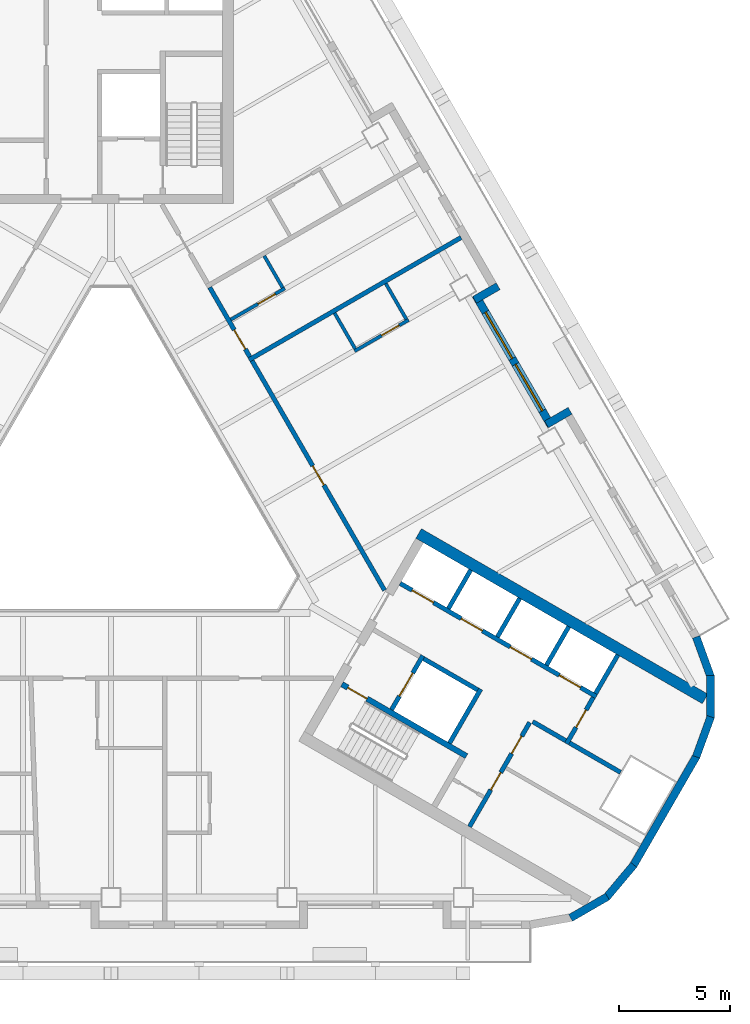
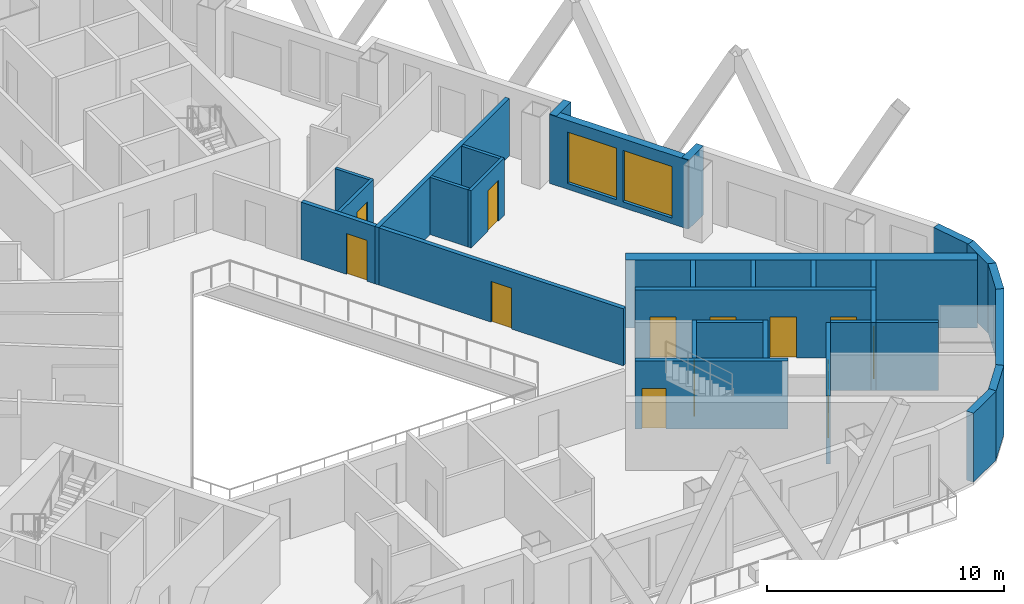
# One storey, part 5 of 14: 31 walls, 13 doors, 2 windows, 15 openings.
"""IFC4 building model written with IfcOpenShell, lengths in metres."""

from ifc_helpers import new_model, si_unit, direction, frame, frame_2d, origin, place, context, subcontext, project, spatial, rectangle, extrude, material, layer, layer_set, type_object, element, fill, save


model = new_model("IFC4")

# Units and contexts
model_context = context("Model", 3, precision=1e-05, world=origin(), true_north=direction((0.0, 1.0)))
body_context = subcontext(model_context, "Body", "Model", "MODEL_VIEW")
ifc_project = project(units=[si_unit("LENGTHUNIT", "METRE"), si_unit("AREAUNIT", "SQUARE_METRE"), si_unit("VOLUMEUNIT", "CUBIC_METRE"), si_unit("PLANEANGLEUNIT", "RADIAN"), si_unit("MASSUNIT", "GRAM", prefix="KILO")], contexts=[model_context])

# Site, building, storey
site_placement = place(None, origin())
site = spatial("IfcSite", under=ifc_project, at=site_placement, CompositionType="ELEMENT")
building_placement = place(site_placement, origin())
building = spatial("IfcBuilding", under=site, at=building_placement, Name="Apuvela Tower Hotel", CompositionType="ELEMENT")
storey_placement = place(building_placement, frame((0.0, 0.0, 98.300048828125)))
storey = spatial("IfcBuildingStorey", under=building, at=storey_placement, Name="L22", CompositionType="ELEMENT", Elevation=98.300048828125)

# Wall
ifc_material_1 = material(Name="Concrete C50/60", Category="concrete")
ifc_layer_1 = layer(ifc_material_1, 0.5)
ifc_layer_set_1 = layer_set([ifc_layer_1], Name="COR-WALL-CORE-500")
wall_type_1 = type_object("IfcWallType", Name="COR-WALL-CORE-500", PredefinedType="SHEAR", material=ifc_layer_set_1)
wall_1_placement = place(storey_placement, frame((13.796630859375, -1.9033203125, 0.0), z_axis=(0.0, 0.0, 1.0), x_axis=(0.866025009528, -0.500000682871, 0.0)))
element("IfcWall", 1, at=wall_1_placement, inside=storey, type_object=wall_type_1, Name="Core wall SE", PredefinedType="SHEAR", context=body_context, shape_type="SweptSolid", body=[
    extrude(rectangle(XDim=14.8369140625, YDim=0.5, at=frame_2d((7.41845703125, 0.0))), origin(), (0.0, 0.0, 1.0), 3.5),
])

# Wall, openings, doors
ifc_material_2 = material(Name="Blockwork 200 mm plastered", Category="masonry")
ifc_layer_2 = layer(ifc_material_2, 0.199951171875)
ifc_layer_set_2 = layer_set([ifc_layer_2], Name="COR-WALL-PART-200")
wall_type_2 = type_object("IfcWallType", Name="COR-WALL-PART-200", PredefinedType="PARTITIONING", material=ifc_layer_set_2)
wall_2_placement = place(storey_placement, frame((16.076171875, -15.05517578125, 0.0), z_axis=(0.0, 0.0, 1.0), x_axis=(0.499995103361, 0.866028230842, 0.0)))
wall_2 = element("IfcWall", 2, at=wall_2_placement, inside=storey, type_object=wall_type_2, Name="Partition SE", PredefinedType="PARTITIONING", context=body_context, shape_type="SweptSolid", body=[
    extrude(rectangle(XDim=5.39990234375, YDim=0.199951171875, at=frame_2d((2.699951171875, 0.0))), origin(), (0.0, 0.0, 1.0), 3.5),
])
opening_1_placement = place(wall_2_placement, frame((1.91259765625, 0.0, 0.0)))
opening_1 = element("IfcOpeningElement", 3, at=opening_1_placement, cuts=wall_2, Name="Opening E-RS1", PredefinedType="OPENING", context=body_context, shape_type="SweptSolid", body=[
    extrude(rectangle(XDim=0.89990234375, YDim=2.10009765625, at=frame_2d((0.449951171875, 1.050048828125))), frame((0.0, 0.10986328125, 0.0), z_axis=(0.0, -1.0, 0.0), x_axis=(1.0, 0.0, 0.0)), (0.0, 0.0, 1.0), 0.219970703125),
])
opening_2_placement = place(wall_2_placement, frame((3.78759765625, 0.0, 0.0)))
opening_2 = element("IfcOpeningElement", 4, at=opening_2_placement, cuts=wall_2, Name="Opening E-RS2", PredefinedType="OPENING", context=body_context, shape_type="SweptSolid", body=[
    extrude(rectangle(XDim=0.89990234375, YDim=2.10009765625, at=frame_2d((0.449951171875, 1.050048828125))), frame((0.0, 0.10986328125, 0.0), z_axis=(0.0, -1.0, 0.0), x_axis=(1.0, 0.0, 0.0)), (0.0, 0.0, 1.0), 0.219970703125),
])
ifc_material_3 = material(Name="Steel fire door, powder coated", Category="steel")
door_type_1 = type_object("IfcDoorType", Name="COR-DR-900", OperationType="NOTDEFINED", PredefinedType="DOOR", material=ifc_material_3)
door_1_placement = place(opening_1_placement, frame((0.89990234375, 0.0, 0.0), z_axis=(0.0, 0.0, 1.0), x_axis=(-1.0, 0.0, 0.0)))
door_1 = element("IfcDoor", 5, at=door_1_placement, inside=storey, type_object=door_type_1, Name="Store door E-RS1", OperationType="SINGLE_SWING_LEFT", OverallHeight=2.10009765625, OverallWidth=0.89990234375, PredefinedType="DOOR", context=body_context, shape_type="SweptSolid", body=[
    extrude(rectangle(XDim=0.89990234375, YDim=2.10009765625, at=frame_2d((0.449951171875, 1.050048828125))), frame((0.0, 0.02490234375, 0.0), z_axis=(0.0, -1.0, 0.0), x_axis=(1.0, 0.0, 0.0)), (0.0, 0.0, 1.0), 0.050048828125),
])
fill(opening_1, door_1)
door_2_placement = place(opening_2_placement, frame((0.89990234375, 0.0, 0.0), z_axis=(0.0, 0.0, 1.0), x_axis=(-1.0, 0.0, 0.0)))
door_2 = element("IfcDoor", 6, at=door_2_placement, inside=storey, type_object=door_type_1, Name="Store door E-RS2", OperationType="SINGLE_SWING_LEFT", OverallHeight=2.10009765625, OverallWidth=0.89990234375, PredefinedType="DOOR", context=body_context, shape_type="SweptSolid", body=[
    extrude(rectangle(XDim=0.89990234375, YDim=2.10009765625, at=frame_2d((0.449951171875, 1.050048828125))), frame((0.0, 0.02490234375, 0.0), z_axis=(0.0, -1.0, 0.0), x_axis=(1.0, 0.0, 0.0)), (0.0, 0.0, 1.0), 0.050048828125),
])
fill(opening_2, door_2)

# Wall
ifc_layer_3 = layer(ifc_material_1, 0.199951171875)
ifc_layer_set_3 = layer_set([ifc_layer_3], Name="COR-WALL-SHAFT-200")
wall_type_3 = type_object("IfcWallType", Name="COR-WALL-SHAFT-200", PredefinedType="SHEAR", material=ifc_layer_set_3)
wall_3_placement = place(storey_placement, frame((15.181396484375, -11.305419921875, 0.0), z_axis=(0.0, 0.0, 1.0), x_axis=(0.49994636267, 0.866056369097, 0.0)))
element("IfcWall", 7, at=wall_3_placement, inside=storey, type_object=wall_type_3, Name="Shaft wall SE", PredefinedType="SHEAR", context=body_context, shape_type="SweptSolid", body=[
    extrude(rectangle(XDim=2.800048828125, YDim=0.199951171875, at=frame_2d((1.39990234375, 0.0))), origin(), (0.0, 0.0, 1.0), 3.5),
])

# Wall, opening, door
wall_4_placement = place(storey_placement, frame((12.583251953125, -9.805419921875, 0.0), z_axis=(0.0, 0.0, 1.0), x_axis=(0.49994636267, 0.866056369097, 0.0)))
wall_4 = element("IfcWall", 8, at=wall_4_placement, inside=storey, type_object=wall_type_3, Name="Shaft wall SE", PredefinedType="SHEAR", context=body_context, shape_type="SweptSolid", body=[
    extrude(rectangle(XDim=2.800048828125, YDim=0.199951171875, at=frame_2d((1.39990234375, 0.0))), origin(), (0.0, 0.0, 1.0), 3.5),
])
opening_3_placement = place(wall_4_placement, frame((0.699951171875, 0.0, 0.0)))
opening_3 = element("IfcOpeningElement", 9, at=opening_3_placement, cuts=wall_4, Name="Opening E-LD-FS3", PredefinedType="OPENING", context=body_context, shape_type="SweptSolid", body=[
    extrude(rectangle(XDim=1.199951171875, YDim=2.10009765625, at=frame_2d((0.60009765625, 1.050048828125))), frame((0.0, 0.10986328125, 0.0), z_axis=(0.0, -1.0, 0.0), x_axis=(1.0, 0.0, 0.0)), (0.0, 0.0, 1.0), 0.219970703125),
])
ifc_material_4 = material(Name="Stainless steel lift landing door", Category="steel")
door_type_2 = type_object("IfcDoorType", Name="COR-LD-1200", OperationType="DOUBLE_DOOR_SLIDING", PredefinedType="DOOR", material=ifc_material_4)
door_3_placement = place(opening_3_placement, origin())
door_3 = element("IfcDoor", 10, at=door_3_placement, inside=storey, type_object=door_type_2, Name="Lift landing door E-LD-FS3", OperationType="DOUBLE_DOOR_SLIDING", OverallHeight=2.10009765625, OverallWidth=1.199951171875, PredefinedType="DOOR", context=body_context, shape_type="SweptSolid", body=[
    extrude(rectangle(XDim=1.199951171875, YDim=2.10009765625, at=frame_2d((0.60009765625, 1.050048828125))), frame((0.0, 0.02490234375, 0.0), z_axis=(0.0, -1.0, 0.0), x_axis=(1.0, 0.0, 0.0)), (0.0, 0.0, 1.0), 0.050048828125),
])
fill(opening_3, door_3)

# Wall
wall_5_placement = place(storey_placement, frame((14.019775390625, -7.51708984375, 0.0), z_axis=(0.0, 0.0, 1.0), x_axis=(0.866034573852, -0.49998411664, 0.0)))
element("IfcWall", 11, at=wall_5_placement, inside=storey, type_object=wall_type_3, Name="Shaft wall SE", PredefinedType="SHEAR", context=body_context, shape_type="SweptSolid", body=[
    extrude(rectangle(XDim=2.7998046875, YDim=0.199951171875, at=frame_2d((1.39990234375, 0.0))), origin(), (0.0, 0.0, 1.0), 3.5),
])

# Wall, openings, doors
wall_6_placement = place(storey_placement, frame((12.968017578125, -4.138427734375, 0.0), z_axis=(0.0, 0.0, 1.0), x_axis=(0.866028328073, -0.49999493495, 0.0)))
wall_6 = element("IfcWall", 12, at=wall_6_placement, inside=storey, type_object=wall_type_3, Name="Shaft wall SE", PredefinedType="SHEAR", context=body_context, shape_type="SweptSolid", body=[
    extrude(rectangle(XDim=10.16015625, YDim=0.199951171875, at=frame_2d((5.080078125, 0.0))), origin(), (0.0, 0.0, 1.0), 3.5),
])
opening_4_placement = place(wall_6_placement, frame((0.6201171875, 0.0, 0.0)))
opening_4 = element("IfcOpeningElement", 13, at=opening_4_placement, cuts=wall_6, Name="Opening E-LD-LR1", PredefinedType="OPENING", context=body_context, shape_type="SweptSolid", body=[
    extrude(rectangle(XDim=1.10009765625, YDim=2.10009765625, at=frame_2d((0.550048828125, 1.050048828125))), frame((0.0, 0.10986328125, 0.0), z_axis=(0.0, -1.0, 0.0), x_axis=(1.0, 0.0, 0.0)), (0.0, 0.0, 1.0), 0.219970703125),
])
opening_5_placement = place(wall_6_placement, frame((3.159912109375, 0.0, 0.0)))
opening_5 = element("IfcOpeningElement", 14, at=opening_5_placement, cuts=wall_6, Name="Opening E-LD-LR2", PredefinedType="OPENING", context=body_context, shape_type="SweptSolid", body=[
    extrude(rectangle(XDim=1.10009765625, YDim=2.10009765625, at=frame_2d((0.550048828125, 1.050048828125))), frame((0.0, 0.10986328125, 0.0), z_axis=(0.0, -1.0, 0.0), x_axis=(1.0, 0.0, 0.0)), (0.0, 0.0, 1.0), 0.219970703125),
])
opening_6_placement = place(wall_6_placement, frame((5.699951171875, 0.0, 0.0)))
opening_6 = element("IfcOpeningElement", 15, at=opening_6_placement, cuts=wall_6, Name="Opening E-LD-LR3", PredefinedType="OPENING", context=body_context, shape_type="SweptSolid", body=[
    extrude(rectangle(XDim=1.10009765625, YDim=2.10009765625, at=frame_2d((0.550048828125, 1.050048828125))), frame((0.0, 0.10986328125, 0.0), z_axis=(0.0, -1.0, 0.0), x_axis=(1.0, 0.0, 0.0)), (0.0, 0.0, 1.0), 0.219970703125),
])
opening_7_placement = place(wall_6_placement, frame((8.239990234375, 0.0, 0.0)))
opening_7 = element("IfcOpeningElement", 16, at=opening_7_placement, cuts=wall_6, Name="Opening E-LD-LR4", PredefinedType="OPENING", context=body_context, shape_type="SweptSolid", body=[
    extrude(rectangle(XDim=1.10009765625, YDim=2.10009765625, at=frame_2d((0.550048828125, 1.050048828125))), frame((0.0, 0.10986328125, 0.0), z_axis=(0.0, -1.0, 0.0), x_axis=(1.0, 0.0, 0.0)), (0.0, 0.0, 1.0), 0.219970703125),
])
door_type_3 = type_object("IfcDoorType", Name="COR-LD-1100", OperationType="DOUBLE_DOOR_SLIDING", PredefinedType="DOOR", material=ifc_material_4)
door_4_placement = place(opening_4_placement, origin())
door_4 = element("IfcDoor", 17, at=door_4_placement, inside=storey, type_object=door_type_3, Name="Lift landing door E-LD-LR1", OperationType="DOUBLE_DOOR_SLIDING", OverallHeight=2.10009765625, OverallWidth=1.10009765625, PredefinedType="DOOR", context=body_context, shape_type="SweptSolid", body=[
    extrude(rectangle(XDim=1.10009765625, YDim=2.10009765625, at=frame_2d((0.550048828125, 1.050048828125))), frame((0.0, 0.02490234375, 0.0), z_axis=(0.0, -1.0, 0.0), x_axis=(1.0, 0.0, 0.0)), (0.0, 0.0, 1.0), 0.050048828125),
])
fill(opening_4, door_4)
door_5_placement = place(opening_5_placement, origin())
door_5 = element("IfcDoor", 18, at=door_5_placement, inside=storey, type_object=door_type_3, Name="Lift landing door E-LD-LR2", OperationType="DOUBLE_DOOR_SLIDING", OverallHeight=2.10009765625, OverallWidth=1.10009765625, PredefinedType="DOOR", context=body_context, shape_type="SweptSolid", body=[
    extrude(rectangle(XDim=1.10009765625, YDim=2.10009765625, at=frame_2d((0.550048828125, 1.050048828125))), frame((0.0, 0.02490234375, 0.0), z_axis=(0.0, -1.0, 0.0), x_axis=(1.0, 0.0, 0.0)), (0.0, 0.0, 1.0), 0.050048828125),
])
fill(opening_5, door_5)
door_6_placement = place(opening_6_placement, origin())
door_6 = element("IfcDoor", 19, at=door_6_placement, inside=storey, type_object=door_type_3, Name="Lift landing door E-LD-LR3", OperationType="DOUBLE_DOOR_SLIDING", OverallHeight=2.10009765625, OverallWidth=1.10009765625, PredefinedType="DOOR", context=body_context, shape_type="SweptSolid", body=[
    extrude(rectangle(XDim=1.10009765625, YDim=2.10009765625, at=frame_2d((0.550048828125, 1.050048828125))), frame((0.0, 0.02490234375, 0.0), z_axis=(0.0, -1.0, 0.0), x_axis=(1.0, 0.0, 0.0)), (0.0, 0.0, 1.0), 0.050048828125),
])
fill(opening_6, door_6)
door_7_placement = place(opening_7_placement, origin())
door_7 = element("IfcDoor", 20, at=door_7_placement, inside=storey, type_object=door_type_3, Name="Lift landing door E-LD-LR4", OperationType="DOUBLE_DOOR_SLIDING", OverallHeight=2.10009765625, OverallWidth=1.10009765625, PredefinedType="DOOR", context=body_context, shape_type="SweptSolid", body=[
    extrude(rectangle(XDim=1.10009765625, YDim=2.10009765625, at=frame_2d((0.550048828125, 1.050048828125))), frame((0.0, 0.02490234375, 0.0), z_axis=(0.0, -1.0, 0.0), x_axis=(1.0, 0.0, 0.0)), (0.0, 0.0, 1.0), 0.050048828125),
])
fill(opening_7, door_7)

# Wall, opening, door
wall_7_placement = place(storey_placement, frame((20.430419921875, -11.33349609375, 0.0), z_axis=(0.0, 0.0, 1.0), x_axis=(0.500001309137, 0.866024647952, 0.0)))
wall_7 = element("IfcWall", 21, at=wall_7_placement, inside=storey, type_object=wall_type_3, Name="Shaft wall SE", PredefinedType="SHEAR", context=body_context, shape_type="SweptSolid", body=[
    extrude(rectangle(XDim=2.39990234375, YDim=0.199951171875, at=frame_2d((1.199951171875, 0.0))), origin(), (0.0, 0.0, 1.0), 3.5),
])
opening_8_placement = place(wall_7_placement, frame((0.85009765625, 0.0, 0.0)))
opening_8 = element("IfcOpeningElement", 22, at=opening_8_placement, cuts=wall_7, Name="Opening E-REP", PredefinedType="OPENING", context=body_context, shape_type="SweptSolid", body=[
    extrude(rectangle(XDim=0.89990234375, YDim=2.10009765625, at=frame_2d((0.449951171875, 1.050048828125))), frame((0.0, 0.10986328125, 0.0), z_axis=(0.0, -1.0, 0.0), x_axis=(1.0, 0.0, 0.0)), (0.0, 0.0, 1.0), 0.219970703125),
])
door_8_placement = place(opening_8_placement, frame((0.89990234375, 0.0, 0.0), z_axis=(0.0, 0.0, 1.0), x_axis=(-1.0, 0.0, 0.0)))
door_8 = element("IfcDoor", 23, at=door_8_placement, inside=storey, type_object=door_type_1, Name="Store door E-REP", OperationType="SINGLE_SWING_RIGHT", OverallHeight=2.10009765625, OverallWidth=0.89990234375, PredefinedType="DOOR", context=body_context, shape_type="SweptSolid", body=[
    extrude(rectangle(XDim=0.89990234375, YDim=2.10009765625, at=frame_2d((0.449951171875, 1.050048828125))), frame((0.0, 0.02490234375, 0.0), z_axis=(0.0, -1.0, 0.0), x_axis=(1.0, 0.0, 0.0)), (0.0, 0.0, 1.0), 0.050048828125),
])
fill(opening_8, door_8)

# Walls
wall_8_placement = place(storey_placement, frame((18.912841796875, -10.342041015625, 0.0), z_axis=(0.0, 0.0, 1.0), x_axis=(0.866038183914, -0.499977863513, 0.0)))
element("IfcWall", 24, at=wall_8_placement, inside=storey, type_object=wall_type_3, Name="Shaft wall SE", PredefinedType="SHEAR", context=body_context, shape_type="SweptSolid", body=[
    extrude(rectangle(XDim=1.7099609375, YDim=0.199951171875, at=frame_2d((0.85498046875, 0.0))), origin(), (0.0, 0.0, 1.0), 3.5),
])
for number, where, z_axis, x_axis, name in (
    (25, (15.131103515625, -5.27197265625, 0.0), (0.0, 0.0, 1.0), (0.499972520799, 0.866041268327, 0.0), "Shaft wall SE"),
    (26, (17.330810546875, -6.5419921875, 0.0), (0.0, 0.0, 1.0), (0.499972520799, 0.866041268327, 0.0), "Shaft wall SE"),
    (27, (19.530517578125, -7.81201171875, 0.0), (0.0, 0.0, 1.0), (0.499972520799, 0.866041268327, 0.0), "Shaft wall SE"),
    (28, (21.73046875, -9.081787109375, 0.0), (0.0, 0.0, 1.0), (0.50002537861, 0.866010750942, 0.0), "Shaft wall SE"),
):
    element("IfcWall", number, at=place(storey_placement, frame(where, z_axis=z_axis, x_axis=x_axis)), inside=storey, type_object=wall_type_3, Name=name, PredefinedType="SHEAR", context=body_context, shape_type="SweptSolid", body=[
        extrude(rectangle(XDim=2.0, YDim=0.199951171875, at=frame_2d((1.0, 0.0))), origin(), (0.0, 0.0, 1.0), 3.5),
    ])
wall_9_placement = place(storey_placement, frame((20.56689453125, -11.297119140625, 0.0), z_axis=(0.0, 0.0, 1.0), x_axis=(0.866060851709, -0.499938597367, 0.0)))
element("IfcWall", 29, at=wall_9_placement, inside=storey, type_object=wall_type_3, Name="Shaft wall SE", PredefinedType="SHEAR", context=body_context, shape_type="SweptSolid", body=[
    extrude(rectangle(XDim=2.639892578125, YDim=0.199951171875, at=frame_2d((1.31982421875, 0.0))), origin(), (0.0, 0.0, 1.0), 3.5),
])

# Wall, opening, door
ifc_layer_4 = layer(ifc_material_1, 0.25)
ifc_layer_set_4 = layer_set([ifc_layer_4], Name="COR-WALL-STAIR-250")
wall_type_4 = type_object("IfcWallType", Name="COR-WALL-STAIR-250", PredefinedType="SHEAR", material=ifc_layer_set_4)
wall_10_placement = place(storey_placement, frame((10.355712890625, -8.66357421875, 0.0), z_axis=(0.0, 0.0, 1.0), x_axis=(0.866028629588, -0.499994412703, 0.0)))
wall_10 = element("IfcWall", 30, at=wall_10_placement, inside=storey, type_object=wall_type_4, Name="Stair wall SE", PredefinedType="SHEAR", context=body_context, shape_type="SweptSolid", body=[
    extrude(rectangle(XDim=6.44970703125, YDim=0.25, at=frame_2d((3.224853515625, 0.0))), origin(), (0.0, 0.0, 1.0), 3.5),
])
opening_9_placement = place(wall_10_placement, frame((0.300048828125, 0.0, 0.0)))
opening_9 = element("IfcOpeningElement", 31, at=opening_9_placement, cuts=wall_10, Name="Opening E-SD", PredefinedType="OPENING", context=body_context, shape_type="SweptSolid", body=[
    extrude(rectangle(XDim=1.0, YDim=2.10009765625, at=frame_2d((0.5, 1.050048828125))), frame((0.0, 0.135009765625, 0.0), z_axis=(0.0, -1.0, 0.0), x_axis=(1.0, 0.0, 0.0)), (0.0, 0.0, 1.0), 0.27001953125),
])
door_type_4 = type_object("IfcDoorType", Name="COR-SD-1000", OperationType="NOTDEFINED", PredefinedType="DOOR", material=ifc_material_3)
door_9_placement = place(opening_9_placement, frame((1.0, 0.0, 0.0), z_axis=(0.0, 0.0, 1.0), x_axis=(-1.0, 0.0, 0.0)))
door_9 = element("IfcDoor", 32, at=door_9_placement, inside=storey, type_object=door_type_4, Name="Stair door E-SD", OperationType="SINGLE_SWING_LEFT", OverallHeight=2.10009765625, OverallWidth=1.0, PredefinedType="DOOR", context=body_context, shape_type="SweptSolid", body=[
    extrude(rectangle(XDim=1.0, YDim=2.10009765625, at=frame_2d((0.5, 1.050048828125))), frame((0.0, 0.02490234375, 0.0), z_axis=(0.0, -1.0, 0.0), x_axis=(1.0, 0.0, 0.0)), (0.0, 0.0, 1.0), 0.050048828125),
])
fill(opening_9, door_9)

# Walls
ifc_material_5 = material(Name="Concrete C40/50, dark pigmented precast panel", Category="concrete")
ifc_layer_5 = layer(ifc_material_5, 0.35009765625)
ifc_layer_set_5 = layer_set([ifc_layer_5], Name="ENV-WALL-350")
wall_type_5 = type_object("IfcWallType", Name="ENV-WALL-350", PredefinedType="SOLIDWALL", material=ifc_layer_set_5)
for number, where, z_axis, x_axis, name in (
    (33, (20.609619140625, -19.146728515625, 0.0), (0.0, 0.0, 1.0), (0.866000389056, 0.500043324278, 0.0), "External wall L22-27"),
    (34, (22.21728515625, -18.230712890625, 0.0), (0.0, 0.0, 1.0), (0.642733291068, 0.76609001857, 0.0), "External wall L22-28"),
):
    element("IfcWall", number, at=place(storey_placement, frame(where, z_axis=z_axis, x_axis=x_axis)), inside=storey, type_object=wall_type_5, Name=name, PredefinedType="SOLIDWALL", context=body_context, shape_type="SweptSolid", body=[
        extrude(rectangle(XDim=1.909912109375, YDim=0.35009765625, at=frame_2d((0.955078125, 0.0))), origin(), (0.0, 0.0, 1.0), 3.550048828125),
    ])
wall_11_placement = place(storey_placement, frame((23.427490234375, -16.79248046875, 0.0), z_axis=(0.0, 0.0, 1.0), x_axis=(0.500018773155, 0.866014564827, 0.0)))
element("IfcWall", 35, at=wall_11_placement, inside=storey, type_object=wall_type_5, Name="External wall L22-29", PredefinedType="SOLIDWALL", context=body_context, shape_type="SweptSolid", body=[
    extrude(rectangle(XDim=5.657958984375, YDim=0.35009765625, at=frame_2d((2.8291015625, 0.0))), origin(), (0.0, 0.0, 1.0), 3.550048828125),
])
for number, where, z_axis, x_axis, name in (
    (36, (26.24365234375, -11.920166015625, 0.0), (0.0, 0.0, 1.0), (0.342030395486, 0.939688889242, 0.0), "External wall L22-30"),
    (37, (26.88623046875, -10.18505859375, 0.0), (0.0, 0.0, 1.0), (0.0, 1.0, 0.0), "External wall L22-31"),
    (38, (26.89697265625, -8.334716796875, 0.0), (0.0, 0.0, 1.0), (-0.342030395486, 0.939688889242, 0.0), "External wall L22-32"),
):
    element("IfcWall", number, at=place(storey_placement, frame(where, z_axis=z_axis, x_axis=x_axis)), inside=storey, type_object=wall_type_5, Name=name, PredefinedType="SOLIDWALL", context=body_context, shape_type="SweptSolid", body=[
        extrude(rectangle(XDim=1.91015625, YDim=0.35009765625, at=frame_2d((0.955078125, 0.0))), origin(), (0.0, 0.0, 1.0), 3.550048828125),
    ])
wall_12_placement = place(storey_placement, frame((20.587646484375, 3.601318359375, 0.0), z_axis=(0.0, 0.0, 1.0), x_axis=(-0.866005645448, -0.500034220881, 0.0)))
element("IfcWall", 39, at=wall_12_placement, inside=storey, type_object=wall_type_5, Name="External wall L22-34", PredefinedType="SOLIDWALL", context=body_context, shape_type="SweptSolid", body=[
    extrude(rectangle(XDim=1.22021484375, YDim=0.35009765625, at=frame_2d((0.610107421875, 0.0))), origin(), (0.0, 0.0, 1.0), 3.550048828125),
])

# Wall, openings, windows
wall_13_placement = place(storey_placement, frame((19.72900390625, 2.93798828125, 0.0), z_axis=(0.0, 0.0, 1.0), x_axis=(-0.499976430342, 0.866039011305, 0.0)))
wall_13 = element("IfcWall", 40, at=wall_13_placement, inside=storey, type_object=wall_type_5, Name="External wall L22-35", PredefinedType="SOLIDWALL", context=body_context, shape_type="SweptSolid", body=[
    extrude(rectangle(XDim=6.739990234375, YDim=0.35009765625, at=frame_2d((3.3701171875, 0.0))), origin(), (0.0, 0.0, 1.0), 3.550048828125),
])
opening_10_placement = place(wall_13_placement, frame((0.77001953125, 0.0, 0.300048828125)))
opening_10 = element("IfcOpeningElement", 41, at=opening_10_placement, cuts=wall_13, Name="Opening WN24", PredefinedType="OPENING", context=body_context, shape_type="SweptSolid", body=[
    extrude(rectangle(XDim=2.39990234375, YDim=2.64990234375, at=frame_2d((1.199951171875, 1.324951171875))), frame((0.0, 0.18505859375, 0.0), z_axis=(0.0, -1.0, 0.0), x_axis=(1.0, 0.0, 0.0)), (0.0, 0.0, 1.0), 0.3701171875),
])
opening_11_placement = place(wall_13_placement, frame((3.469970703125, 0.0, 0.300048828125)))
opening_11 = element("IfcOpeningElement", 42, at=opening_11_placement, cuts=wall_13, Name="Opening WN24", PredefinedType="OPENING", context=body_context, shape_type="SweptSolid", body=[
    extrude(rectangle(XDim=2.39990234375, YDim=2.64990234375, at=frame_2d((1.199951171875, 1.324951171875))), frame((0.0, 0.18505859375, 0.0), z_axis=(0.0, -1.0, 0.0), x_axis=(1.0, 0.0, 0.0)), (0.0, 0.0, 1.0), 0.3701171875),
])
ifc_material_6 = material(Name="Glass, dark tinted laminated insulated glazing unit", Category="glass")
window_type = type_object("IfcWindowType", Name="ENV-WIN-2400x2650", PartitioningType="SINGLE_PANEL", PredefinedType="WINDOW", material=ifc_material_6)
window_1_placement = place(opening_10_placement, origin())
window_1 = element("IfcWindow", 43, at=window_1_placement, inside=storey, type_object=window_type, Name="Window WN24", OverallHeight=2.64990234375, OverallWidth=2.39990234375, PartitioningType="SINGLE_PANEL", PredefinedType="WINDOW", context=body_context, shape_type="SweptSolid", body=[
    extrude(rectangle(XDim=2.39990234375, YDim=2.64990234375, at=frame_2d((1.199951171875, 1.324951171875))), frame((0.0, 0.030029296875, 0.0), z_axis=(0.0, -1.0, 0.0), x_axis=(1.0, 0.0, 0.0)), (0.0, 0.0, 1.0), 0.06005859375),
])
fill(opening_10, window_1)
window_2_placement = place(opening_11_placement, origin())
window_2 = element("IfcWindow", 44, at=window_2_placement, inside=storey, type_object=window_type, Name="Window WN24", OverallHeight=2.64990234375, OverallWidth=2.39990234375, PartitioningType="SINGLE_PANEL", PredefinedType="WINDOW", context=body_context, shape_type="SweptSolid", body=[
    extrude(rectangle(XDim=2.39990234375, YDim=2.64990234375, at=frame_2d((1.199951171875, 1.324951171875))), frame((0.0, 0.030029296875, 0.0), z_axis=(0.0, -1.0, 0.0), x_axis=(1.0, 0.0, 0.0)), (0.0, 0.0, 1.0), 0.06005859375),
])
fill(opening_11, window_2)

# Walls
wall_14_placement = place(storey_placement, frame((16.305908203125, 8.5771484375, 0.0), z_axis=(0.0, 0.0, 1.0), x_axis=(0.866092288191, 0.499884134912, 0.0)))
element("IfcWall", 45, at=wall_14_placement, inside=storey, type_object=wall_type_5, Name="External wall L22-36", PredefinedType="SOLIDWALL", context=body_context, shape_type="SweptSolid", body=[
    extrude(rectangle(XDim=1.219970703125, YDim=0.35009765625, at=frame_2d((0.60986328125, 0.0))), origin(), (0.0, 0.0, 1.0), 3.550048828125),
])
ifc_material_7 = material(Name="Gypsum board partition on twin steel stud", Category="steel")
ifc_layer_6 = layer(ifc_material_7, 0.199951171875)
ifc_layer_set_6 = layer_set([ifc_layer_6], Name="GST-PW1")
wall_type_6 = type_object("IfcWallType", Name="GST-PW1", PredefinedType="PARTITIONING", material=ifc_layer_set_6)
wall_15_placement = place(storey_placement, frame((15.697021484375, 11.3720703125, 0.0), z_axis=(0.0, 0.0, 1.0), x_axis=(-0.866027479907, -0.499996404033, 0.0)))
element("IfcWall", 46, at=wall_15_placement, inside=storey, type_object=wall_type_6, Name="L22 partition 03", PredefinedType="PARTITIONING", context=body_context, shape_type="SweptSolid", body=[
    extrude(rectangle(XDim=10.97998046875, YDim=0.199951171875, at=frame_2d((5.489990234375, 0.0))), origin(), (0.0, 0.0, 1.0), 2.9599609375),
])

# Wall, opening, door
ifc_material_8 = material(Name="Gypsum board corridor wall on twin steel stud, acoustic", Category="steel")
ifc_layer_7 = layer(ifc_material_8, 0.199951171875)
ifc_layer_set_7 = layer_set([ifc_layer_7], Name="GST-PW2")
wall_type_7 = type_object("IfcWallType", Name="GST-PW2", PredefinedType="PARTITIONING", material=ifc_layer_set_7)
wall_16_placement = place(storey_placement, frame((6.32470703125, 5.845458984375, 0.0), z_axis=(0.0, 0.0, 1.0), x_axis=(0.500002143212, -0.866024166397, 0.0)))
wall_16 = element("IfcWall", 47, at=wall_16_placement, inside=storey, type_object=wall_type_7, Name="L22 partition 19", PredefinedType="PARTITIONING", context=body_context, shape_type="SweptSolid", body=[
    extrude(rectangle(XDim=11.88818359375, YDim=0.199951171875, at=frame_2d((5.944091796875, 0.0))), origin(), (0.0, 0.0, 1.0), 2.949951171875),
])
opening_12_placement = place(wall_16_placement, frame((5.444091796875, 0.0, 0.0)))
opening_12 = element("IfcOpeningElement", 48, at=opening_12_placement, cuts=wall_16, Name="Opening GD07-08", PredefinedType="OPENING", context=body_context, shape_type="SweptSolid", body=[
    extrude(rectangle(XDim=1.0, YDim=2.10009765625, at=frame_2d((0.5, 1.050048828125))), frame((0.0, 0.10986328125, 0.0), z_axis=(0.0, -1.0, 0.0), x_axis=(1.0, 0.0, 0.0)), (0.0, 0.0, 1.0), 0.219970703125),
])
ifc_material_9 = material(Name="Timber door leaf in steel frame", Category="steel")
door_type_5 = type_object("IfcDoorType", Name="GST-D1", OperationType="NOTDEFINED", PredefinedType="DOOR", material=ifc_material_9)
door_10_placement = place(opening_12_placement, origin())
door_10 = element("IfcDoor", 49, at=door_10_placement, inside=storey, type_object=door_type_5, Name="Door L22-08", OperationType="SINGLE_SWING_LEFT", OverallHeight=2.10009765625, OverallWidth=1.0, PredefinedType="DOOR", context=body_context, shape_type="SweptSolid", body=[
    extrude(rectangle(XDim=1.0, YDim=2.10009765625, at=frame_2d((0.5, 1.050048828125))), frame((0.0, 0.02490234375, 0.0), z_axis=(0.0, -1.0, 0.0), x_axis=(1.0, 0.0, 0.0)), (0.0, 0.0, 1.0), 0.050048828125),
])
fill(opening_12, door_10)

wall_17_placement = place(storey_placement, frame((4.424560546875, 9.13623046875, 0.0), z_axis=(0.0, 0.0, 1.0), x_axis=(0.500041424909, -0.866001485781, 0.0)))
wall_17 = element("IfcWall", 50, at=wall_17_placement, inside=storey, type_object=wall_type_7, Name="L22 partition 23", PredefinedType="PARTITIONING", context=body_context, shape_type="SweptSolid", body=[
    extrude(rectangle(XDim=3.599853515625, YDim=0.199951171875, at=frame_2d((1.7998046875, 0.0))), origin(), (0.0, 0.0, 1.0), 2.949951171875),
])
opening_13_placement = place(wall_17_placement, frame((2.199951171875, 0.0, 0.0)))
opening_13 = element("IfcOpeningElement", 51, at=opening_13_placement, cuts=wall_17, Name="Opening GD07-10", PredefinedType="OPENING", context=body_context, shape_type="SweptSolid", body=[
    extrude(rectangle(XDim=1.0, YDim=2.10009765625, at=frame_2d((0.5, 1.050048828125))), frame((0.0, 0.10986328125, 0.0), z_axis=(0.0, -1.0, 0.0), x_axis=(1.0, 0.0, 0.0)), (0.0, 0.0, 1.0), 0.219970703125),
])
door_11_placement = place(opening_13_placement, origin())
door_11 = element("IfcDoor", 52, at=door_11_placement, inside=storey, type_object=door_type_5, Name="Door L22-10", OperationType="SINGLE_SWING_RIGHT", OverallHeight=2.10009765625, OverallWidth=1.0, PredefinedType="DOOR", context=body_context, shape_type="SweptSolid", body=[
    extrude(rectangle(XDim=1.0, YDim=2.10009765625, at=frame_2d((0.5, 1.050048828125))), frame((0.0, 0.02490234375, 0.0), z_axis=(0.0, -1.0, 0.0), x_axis=(1.0, 0.0, 0.0)), (0.0, 0.0, 1.0), 0.050048828125),
])
fill(opening_13, door_11)

ifc_material_10 = material(Name="Moisture-resistant gypsum board wet wall on steel stud", Category="steel")
ifc_layer_8 = layer(ifc_material_10, 0.14990234375)
ifc_layer_set_8 = layer_set([ifc_layer_8], Name="GST-PW3")
wall_type_8 = type_object("IfcWallType", Name="GST-PW3", PredefinedType="PARTITIONING", material=ifc_layer_set_8)
wall_18_placement = place(storey_placement, frame((10.92431640625, 6.2783203125, 0.0), z_axis=(0.0, 0.0, 1.0), x_axis=(0.866056369097, 0.49994636267, 0.0)))
wall_18 = element("IfcWall", 53, at=wall_18_placement, inside=storey, type_object=wall_type_8, Name="L22 partition 20", PredefinedType="PARTITIONING", context=body_context, shape_type="SweptSolid", body=[
    extrude(rectangle(XDim=2.800048828125, YDim=0.14990234375, at=frame_2d((1.39990234375, 0.0))), origin(), (0.0, 0.0, 1.0), 2.949951171875),
])
opening_14_placement = place(wall_18_placement, frame((1.39990234375, 0.0, 0.0)))
opening_14 = element("IfcOpeningElement", 54, at=opening_14_placement, cuts=wall_18, Name="Opening GD07-07", PredefinedType="OPENING", context=body_context, shape_type="SweptSolid", body=[
    extrude(rectangle(XDim=0.89990234375, YDim=2.10009765625, at=frame_2d((0.449951171875, 1.050048828125))), frame((0.0, 0.0849609375, 0.0), z_axis=(0.0, -1.0, 0.0), x_axis=(1.0, 0.0, 0.0)), (0.0, 0.0, 1.0), 0.169921875),
])
door_type_6 = type_object("IfcDoorType", Name="GST-D2", OperationType="NOTDEFINED", PredefinedType="DOOR", material=ifc_material_9)
door_12_placement = place(opening_14_placement, origin())
door_12 = element("IfcDoor", 55, at=door_12_placement, inside=storey, type_object=door_type_6, Name="Door L22-07", OperationType="SINGLE_SWING_RIGHT", OverallHeight=2.10009765625, OverallWidth=0.89990234375, PredefinedType="DOOR", context=body_context, shape_type="SweptSolid", body=[
    extrude(rectangle(XDim=0.89990234375, YDim=2.10009765625, at=frame_2d((0.449951171875, 1.050048828125))), frame((0.0, 0.02490234375, 0.0), z_axis=(0.0, -1.0, 0.0), x_axis=(1.0, 0.0, 0.0)), (0.0, 0.0, 1.0), 0.050048828125),
])
fill(opening_14, door_12)

# Walls
for number, where, z_axis, x_axis, name in (
    (56, (13.246826171875, 7.705810546875, 0.0), (0.0, 0.0, 1.0), (-0.500042316284, 0.866000971088, 0.0), "L22 partition 21"),
    (57, (10.951904296875, 6.380859375, 0.0), (0.0, 0.0, 1.0), (-0.500042316284, 0.866000971088, 0.0), "L22 partition 22"),
):
    element("IfcWall", number, at=place(storey_placement, frame(where, z_axis=z_axis, x_axis=x_axis)), inside=storey, type_object=wall_type_8, Name=name, PredefinedType="PARTITIONING", context=body_context, shape_type="SweptSolid", body=[
        extrude(rectangle(XDim=1.849853515625, YDim=0.14990234375, at=frame_2d((0.9248046875, 0.0))), origin(), (0.0, 0.0, 1.0), 2.949951171875),
    ])

# Wall, opening, door
wall_19_placement = place(storey_placement, frame((5.373779296875, 7.6923828125, 0.0), z_axis=(0.0, 0.0, 1.0), x_axis=(0.865996816683, 0.500049511043, 0.0)))
wall_19 = element("IfcWall", 58, at=wall_19_placement, inside=storey, type_object=wall_type_8, Name="L22 partition 24", PredefinedType="PARTITIONING", context=body_context, shape_type="SweptSolid", body=[
    extrude(rectangle(XDim=2.800048828125, YDim=0.14990234375, at=frame_2d((1.39990234375, 0.0))), origin(), (0.0, 0.0, 1.0), 2.949951171875),
])
opening_15_placement = place(wall_19_placement, frame((1.39990234375, 0.0, 0.0)))
opening_15 = element("IfcOpeningElement", 59, at=opening_15_placement, cuts=wall_19, Name="Opening GD07-09", PredefinedType="OPENING", context=body_context, shape_type="SweptSolid", body=[
    extrude(rectangle(XDim=0.89990234375, YDim=2.10009765625, at=frame_2d((0.449951171875, 1.050048828125))), frame((0.0, 0.0849609375, 0.0), z_axis=(0.0, -1.0, 0.0), x_axis=(1.0, 0.0, 0.0)), (0.0, 0.0, 1.0), 0.169921875),
])
door_13_placement = place(opening_15_placement, origin())
door_13 = element("IfcDoor", 60, at=door_13_placement, inside=storey, type_object=door_type_6, Name="Door L22-09", OperationType="SINGLE_SWING_RIGHT", OverallHeight=2.10009765625, OverallWidth=0.89990234375, PredefinedType="DOOR", context=body_context, shape_type="SweptSolid", body=[
    extrude(rectangle(XDim=0.89990234375, YDim=2.10009765625, at=frame_2d((0.449951171875, 1.050048828125))), frame((0.0, 0.02490234375, 0.0), z_axis=(0.0, -1.0, 0.0), x_axis=(1.0, 0.0, 0.0)), (0.0, 0.0, 1.0), 0.050048828125),
])
fill(opening_15, door_13)

# Wall
wall_20_placement = place(storey_placement, frame((7.696044921875, 9.119873046875, 0.0), z_axis=(0.0, 0.0, 1.0), x_axis=(-0.499974350878, 0.866040211805, 0.0)))
element("IfcWall", 61, at=wall_20_placement, inside=storey, type_object=wall_type_8, Name="L22 partition 25", PredefinedType="PARTITIONING", context=body_context, shape_type="SweptSolid", body=[
    extrude(rectangle(XDim=1.64990234375, YDim=0.14990234375, at=frame_2d((0.824951171875, 0.0))), origin(), (0.0, 0.0, 1.0), 2.949951171875),
])

save(model, "model.ifc")
